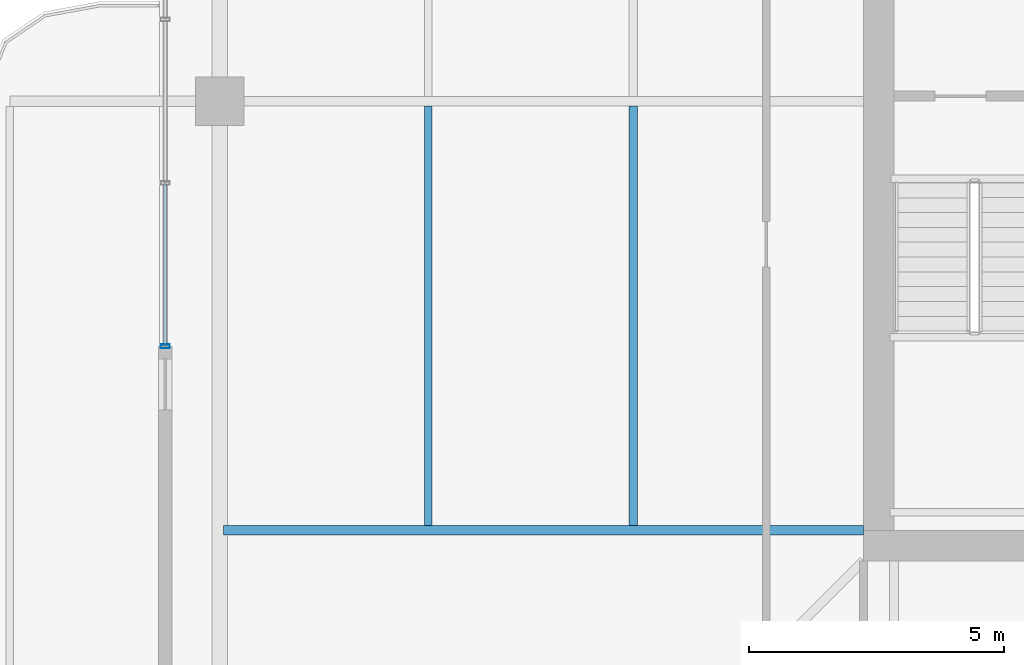
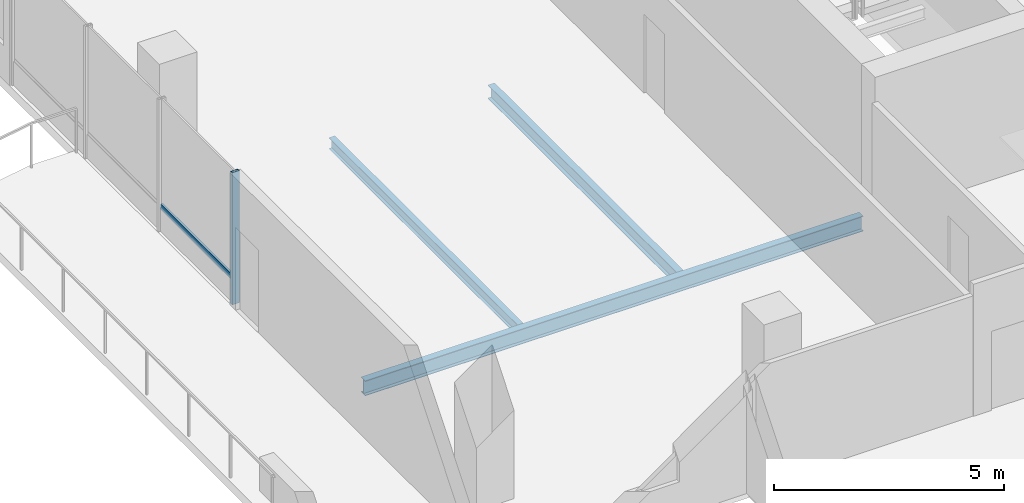
# One storey, part 5 of 18: 3 beams, 2 members, 1 element without a shape of its own.
"""IFC4 building model written with IfcOpenShell, lengths in metres."""

from ifc_helpers import new_model, si_unit, direction, frame, origin, origin_2d, place, context, subcontext, project, spatial, hollow_rectangle, i_section, extrude, material, layer, layer_set, material_profile, profile_set, type_object, element, aggregate, save


model = new_model("IFC4")

# Units and contexts
model_context = context("Model", 3, precision=1e-05, world=origin(), true_north=direction((0.0, 1.0)))
body_context = subcontext(model_context, "Body", "Model", "MODEL_VIEW")
ifc_project = project(units=[si_unit("LENGTHUNIT", "METRE"), si_unit("AREAUNIT", "SQUARE_METRE"), si_unit("VOLUMEUNIT", "CUBIC_METRE"), si_unit("PLANEANGLEUNIT", "RADIAN"), si_unit("MASSUNIT", "GRAM", prefix="KILO")], contexts=[model_context])

# Site, building, storey
site_placement = place(None, origin())
site = spatial("IfcSite", under=ifc_project, at=site_placement, CompositionType="ELEMENT")
building_placement = place(site_placement, origin())
building = spatial("IfcBuilding", under=site, at=building_placement, Name="Belovzor Exchange Tower", CompositionType="ELEMENT")
storey_placement = place(building_placement, frame((0.0, 0.0, 318.0)))
storey = spatial("IfcBuildingStorey", under=building, at=storey_placement, Name="L79", CompositionType="ELEMENT", Elevation=318.0)

# Beams
ifc_material_1 = material(Name="Steel S355", Category="steel")
ifc_material_profile_1 = material_profile(ifc_material_1, i_section(OverallWidth=0.169921875, OverallDepth=0.360107421875, WebThickness=0.008056640625, FlangeThickness=0.0126953125, at=origin_2d()))
ifc_profile_set_1 = profile_set([ifc_material_profile_1], Name="Steel S355")
beam_type_1 = type_object("IfcBeamType", Name="Secondary Infill Floor Joist IPE 360", PredefinedType="BEAM", material=ifc_profile_set_1)
beam_1_placement = place(storey_placement, frame((15.291015625, 20.489990234375, -0.419921875), z_axis=(0.0, 1.0, 0.0), x_axis=(-1.0, 0.0, 0.0)))
element("IfcBeam", 1, at=beam_1_placement, inside=storey, type_object=beam_type_1, Name="FJ-360 Secondary Infill Floor Joist IPE 360", PredefinedType="BEAM", context=body_context, shape_type="SweptSolid", body=[
    extrude(i_section(OverallWidth=0.169921875, OverallDepth=0.360107421875, WebThickness=0.008056640625, FlangeThickness=0.0126953125, at=origin_2d()), origin(), (0.0, 0.0, 1.0), 8.219970703125),
])
ifc_material_2 = material(Name="Steel S355", Category="steel")
ifc_material_profile_2 = material_profile(ifc_material_2, i_section(OverallWidth=0.14990234375, OverallDepth=0.300048828125, WebThickness=0.007080078125, FlangeThickness=0.0107421875, at=origin_2d()))
ifc_profile_set_2 = profile_set([ifc_material_profile_2], Name="Steel S355")
beam_type_2 = type_object("IfcBeamType", Name="Secondary Trim Floor Joist IPE 300", PredefinedType="BEAM", material=ifc_profile_set_2)
beam_2_placement = place(storey_placement, frame((11.282958984375, 20.489990234375, -0.389892578125), z_axis=(0.0, 1.0, 0.0), x_axis=(-1.0, 0.0, 0.0)))
element("IfcBeam", 2, at=beam_2_placement, inside=storey, type_object=beam_type_2, Name="FJ-300 Secondary Trim Floor Joist IPE 300", PredefinedType="BEAM", context=body_context, shape_type="SweptSolid", body=[
    extrude(i_section(OverallWidth=0.14990234375, OverallDepth=0.300048828125, WebThickness=0.007080078125, FlangeThickness=0.0107421875, at=origin_2d()), origin(), (0.0, 0.0, 1.0), 8.219970703125),
])

# Curtain wall, members
ifc_material_3 = material(Name="Anodised Aluminium Framing", Category="aluminium")
ifc_layer = layer(ifc_material_3, 0.179931640625)
ifc_layer_set = layer_set([ifc_layer], Name="Anodised Aluminium Framing")
curtain_wall_type = type_object("IfcCurtainWallType", Name="Recessed Loggia Low-Iron Triple-Glazed Curtain Wall", PredefinedType="NOTDEFINED", material=ifc_layer_set)
curtain_wall_placement = place(storey_placement, origin())
curtain_wall = element("IfcCurtainWall", 3, at=curtain_wall_placement, inside=storey, type_object=curtain_wall_type, Name="CW3 Recessed Loggia Low-Iron Triple-Glazed Curtain Wall L79", PredefinedType="NOTDEFINED")
ifc_material_4 = material(Name="Steel S355", Category="steel")
ifc_material_profile_3 = material_profile(ifc_material_4, hollow_rectangle(XDim=0.074951171875, YDim=0.179931640625, WallThickness=0.0048828125, at=origin_2d()))
ifc_profile_set_3 = profile_set([ifc_material_profile_3], Name="Steel S355")
member_type_1 = type_object("IfcMemberType", Name="Thermally Broken Curtain Wall Mullion 180x75", PredefinedType="MULLION", material=ifc_profile_set_3)
member_1_placement = place(storey_placement, frame((6.1298828125, 24.0, 0.0), z_axis=(0.0, 0.0, 1.0), x_axis=(0.0, 1.0, 0.0)))
member_1 = element("IfcMember", 4, at=member_1_placement, type_object=member_type_1, Name="CW-M180 Curtain Wall Mullion 1", PredefinedType="MULLION", context=body_context, shape_type="SweptSolid", body=[
    extrude(hollow_rectangle(XDim=0.074951171875, YDim=0.179931640625, WallThickness=0.0048828125, at=origin_2d()), origin(), (0.0, 0.0, 1.0), 3.510009765625),
])
ifc_material_5 = material(Name="Steel S355", Category="steel")
ifc_material_profile_4 = material_profile(ifc_material_5, hollow_rectangle(XDim=0.06005859375, YDim=0.14990234375, WallThickness=0.00390625, at=origin_2d()))
ifc_profile_set_4 = profile_set([ifc_material_profile_4], Name="Steel S355")
member_type_2 = type_object("IfcMemberType", Name="Thermally Broken Curtain Wall Transom 150x60", PredefinedType="USERDEFINED", material=ifc_profile_set_4)
member_2_placement = place(storey_placement, frame((6.1298828125, 24.008056640625, 0.632080078125), z_axis=(0.0, 1.0, 0.0), x_axis=(-1.0, 0.0, 0.0)))
member_2 = element("IfcMember", 5, at=member_2_placement, type_object=member_type_2, Name="CW-T150 Curtain Wall Transom 1", ObjectType="TRANSOM", PredefinedType="USERDEFINED", context=body_context, shape_type="SweptSolid", body=[
    extrude(hollow_rectangle(XDim=0.06005859375, YDim=0.14990234375, WallThickness=0.00390625, at=origin_2d()), origin(), (0.0, 0.0, 1.0), 3.183837890625),
])
aggregate(curtain_wall, [member_1, member_2])

# Beam
ifc_material_6 = material(Name="Steel S355", Category="steel")
ifc_material_profile_5 = material_profile(ifc_material_6, i_section(OverallWidth=0.179931640625, OverallDepth=0.39990234375, WebThickness=0.008544921875, FlangeThickness=0.013427734375, at=origin_2d()))
ifc_profile_set_5 = profile_set([ifc_material_profile_5], Name="Steel S355")
beam_type_3 = type_object("IfcBeamType", Name="Zone 5-6 Radial Composite Floor Beam IPE 400", PredefinedType="BEAM", material=ifc_profile_set_5)
beam_3_placement = place(storey_placement, frame((19.800048828125, 20.39990234375, -0.43994140625), z_axis=(-1.0, 0.0, 0.0), x_axis=(0.0, -1.0, 0.0)))
element("IfcBeam", 6, at=beam_3_placement, inside=storey, type_object=beam_type_3, Name="FB-400 Zone 5-6 Radial Composite Floor Beam IPE 400", PredefinedType="BEAM", context=body_context, shape_type="SweptSolid", body=[
    extrude(i_section(OverallWidth=0.179931640625, OverallDepth=0.39990234375, WebThickness=0.008544921875, FlangeThickness=0.013427734375, at=origin_2d()), origin(), (0.0, 0.0, 1.0), 12.525146484375),
])

save(model, "model.ifc")
